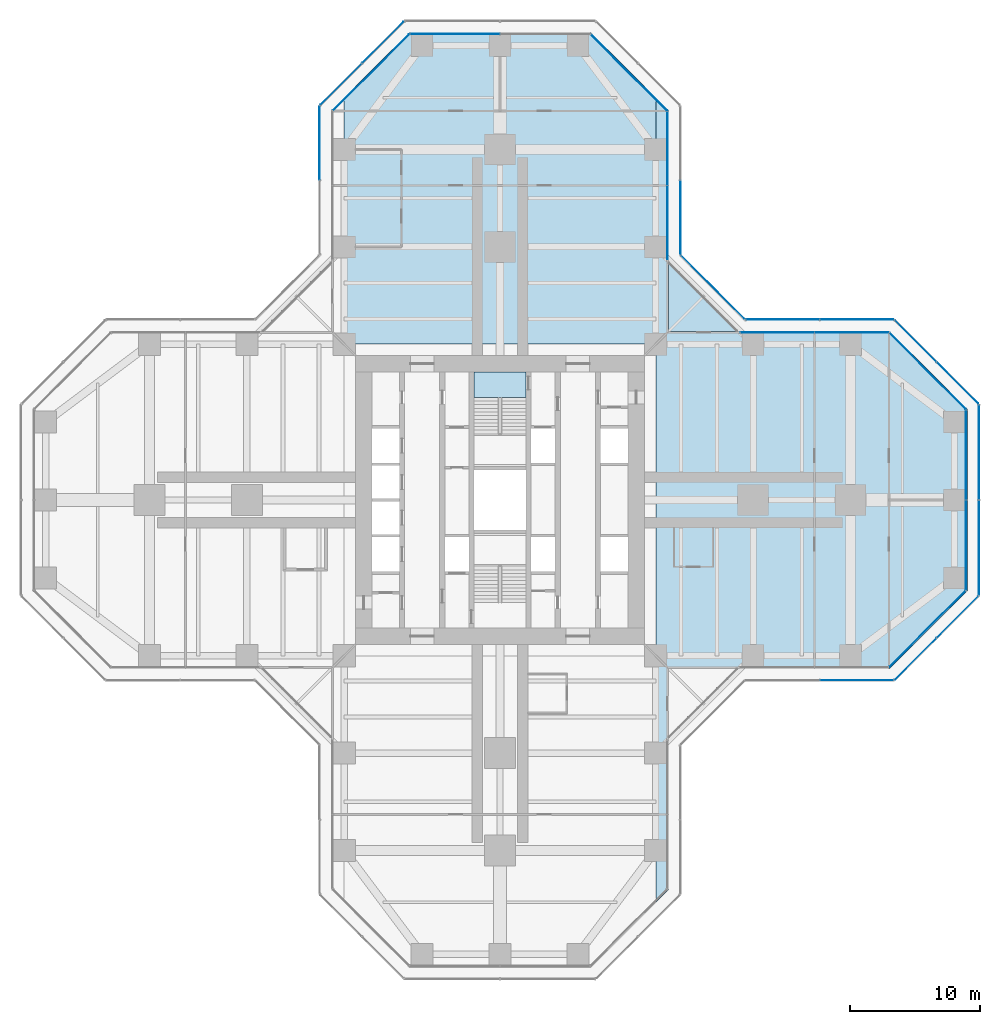
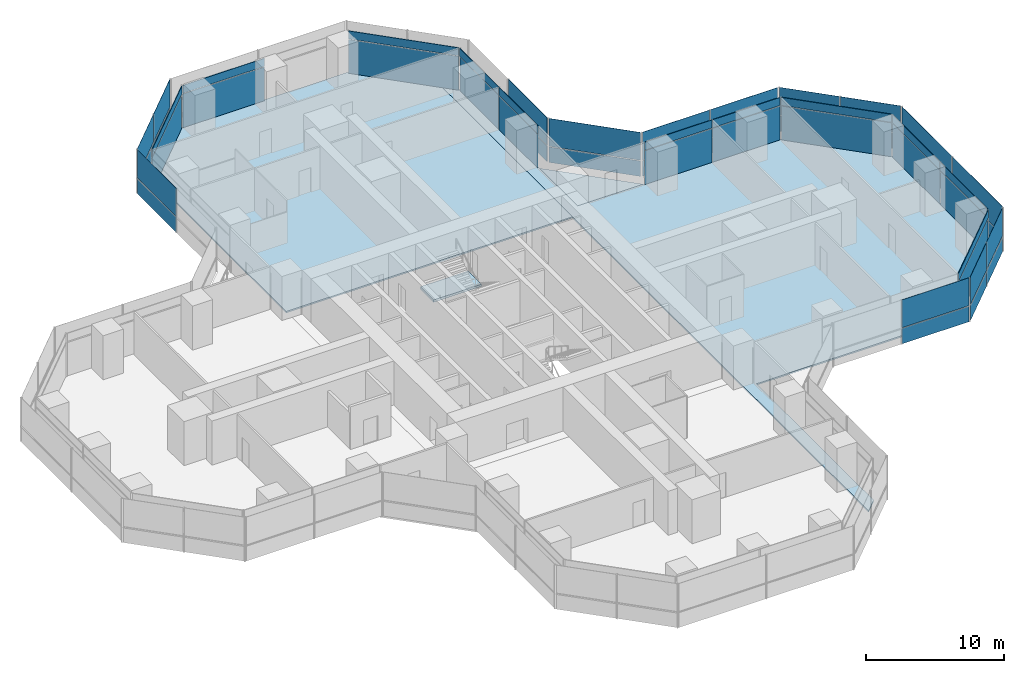
# One storey, part 16 of 22: 50 plates, 4 slabs, 18 elements without a shape of their own.
"""IFC4 building model written with IfcOpenShell, lengths in metres."""

from ifc_helpers import new_model, si_unit, direction, frame, origin, origin_2d, place, context, subcontext, project, spatial, polyline, rectangle, outline, extrude, material, layer, layer_set, type_object, element, aggregate, save


model = new_model("IFC4")

# Units and contexts
model_context = context("Model", 3, precision=1e-05, world=origin(), true_north=direction((0.0, 1.0)))
body_context = subcontext(model_context, "Body", "Model", "MODEL_VIEW")
ifc_project = project(units=[si_unit("LENGTHUNIT", "METRE"), si_unit("AREAUNIT", "SQUARE_METRE"), si_unit("VOLUMEUNIT", "CUBIC_METRE"), si_unit("PLANEANGLEUNIT", "RADIAN"), si_unit("MASSUNIT", "GRAM", prefix="KILO")], contexts=[model_context])

# Site, building, storey
site_placement = place(None, origin())
site = spatial("IfcSite", under=ifc_project, at=site_placement, CompositionType="ELEMENT")
building_placement = place(site_placement, origin())
building = spatial("IfcBuilding", under=site, at=building_placement, Name="Mizan Broadcast Tower", CompositionType="ELEMENT")
storey_placement = place(building_placement, frame((0.0, 0.0, 105.89990234375)))
storey = spatial("IfcBuildingStorey", under=building, at=storey_placement, Name="L23", CompositionType="ELEMENT", Elevation=105.89990234375)

# Slabs
ifc_material_1 = material(Name="Concrete C32/40", Category="concrete")
ifc_layer_1 = layer(ifc_material_1, 0.1298828125)
ifc_layer_set_1 = layer_set([ifc_layer_1], Name="Concrete C32/40")
slab_type_1 = type_object("IfcSlabType", Name="COMPOSITE DECK SLAB 130", PredefinedType="FLOOR", material=ifc_layer_set_1)
slab_1_placement = place(storey_placement, frame((0.0, 0.0, -0.1298828125)))
element("IfcSlab", 1, at=slab_1_placement, inside=storey, type_object=slab_type_1, Name="Floor slab L23 east arm", PredefinedType="FLOOR", context=body_context, shape_type="SweptSolid", body=[
    extrude(outline(polyline([(12.0, -31.0), (13.0, -30.0), (13.0, -13.0), (30.0, -13.0), (36.0, -7.0), (36.0, 7.0), (30.0, 13.0), (13.0, 13.0), (13.0, 30.0), (12.0, 31.0), (12.0, -31.0)])), origin(), (0.0, 0.0, 1.0), 0.1298828125),
])
slab_2_placement = place(storey_placement, frame((0.0, 0.0, -0.1298828125)))
element("IfcSlab", 2, at=slab_2_placement, inside=storey, type_object=slab_type_1, Name="Floor slab L23 north arm", PredefinedType="FLOOR", context=body_context, shape_type="SweptSolid", body=[
    extrude(outline(polyline([(-7.0, 36.0), (-12.0, 31.0), (-12.0, 12.0), (12.0, 12.0), (12.0, 31.0), (7.0, 36.0), (-7.0, 36.0)])), origin(), (0.0, 0.0, 1.0), 0.1298828125),
])

# Curtain wall, plate
ifc_material_2 = material(Name="Aluminium framed glazing", Category="aluminium")
curtain_wall_type_1 = type_object("IfcCurtainWallType", Name="INNER SKIN LOW ZONE", PredefinedType="USERDEFINED", material=ifc_material_2)
curtain_wall_1_placement = place(storey_placement, origin())
curtain_wall_1 = element("IfcCurtainWall", 3, at=curtain_wall_1_placement, inside=storey, type_object=curtain_wall_type_1, Name="Inner skin low zone L23 E chamfer", ObjectType="INNER SKIN LOW ZONE", PredefinedType="USERDEFINED")
ifc_material_3 = material(Name="Double glazing, clear low-e", Category="glass")
ifc_layer_2 = layer(ifc_material_3, 0.028076171875)
ifc_layer_set_2 = layer_set([ifc_layer_2], Name="Double glazing, clear low-e")
plate_type_1 = type_object("IfcPlateType", Name="INNER SKIN GLAZING UNIT", PredefinedType="CURTAIN_PANEL", material=ifc_layer_set_2)
plate_1_placement = place(storey_placement, frame((32.92919921875, -9.92919921875, 0.0), z_axis=(0.0, 0.0, 1.0), x_axis=(0.707106781187, 0.707106781187, 0.0)))
plate_1 = element("IfcPlate", 4, at=plate_1_placement, type_object=plate_type_1, Name="Inner skin low zone L23 E chamfer panel 1.1", PredefinedType="CURTAIN_PANEL", context=body_context, shape_type="SweptSolid", body=[
    extrude(rectangle(XDim=8.282470703125, YDim=0.028076171875, at=origin_2d()), origin(), (0.0, 0.0, 1.0), 3.0),
])

# Curtain wall, plates
curtain_wall_2_placement = place(storey_placement, origin())
curtain_wall_2 = element("IfcCurtainWall", 5, at=curtain_wall_2_placement, inside=storey, type_object=curtain_wall_type_1, Name="Inner skin low zone L23 E end", ObjectType="INNER SKIN LOW ZONE", PredefinedType="USERDEFINED")
plate_2_placement = place(storey_placement, frame((35.89990234375, -3.46435546875, 0.0), z_axis=(0.0, 0.0, 1.0), x_axis=(0.0, 1.0, 0.0)))
plate_2 = element("IfcPlate", 6, at=plate_2_placement, type_object=plate_type_1, Name="Inner skin low zone L23 E end panel 1.1", PredefinedType="CURTAIN_PANEL", context=body_context, shape_type="SweptSolid", body=[
    extrude(rectangle(XDim=6.86865234375, YDim=0.028076171875, at=origin_2d()), origin(), (0.0, 0.0, 1.0), 3.0),
])
plate_3_placement = place(storey_placement, frame((35.89990234375, 3.46435546875, 0.0), z_axis=(0.0, 0.0, 1.0), x_axis=(0.0, 1.0, 0.0)))
plate_3 = element("IfcPlate", 7, at=plate_3_placement, type_object=plate_type_1, Name="Inner skin low zone L23 E end panel 2.1", PredefinedType="CURTAIN_PANEL", context=body_context, shape_type="SweptSolid", body=[
    extrude(rectangle(XDim=6.86865234375, YDim=0.028076171875, at=origin_2d()), origin(), (0.0, 0.0, 1.0), 3.0),
])

# Curtain wall, plate
curtain_wall_3_placement = place(storey_placement, origin())
curtain_wall_3 = element("IfcCurtainWall", 8, at=curtain_wall_3_placement, inside=storey, type_object=curtain_wall_type_1, Name="Inner skin low zone L23 E chamfer", ObjectType="INNER SKIN LOW ZONE", PredefinedType="USERDEFINED")
plate_4_placement = place(storey_placement, frame((32.92919921875, 9.92919921875, 0.0), z_axis=(0.0, 0.0, 1.0), x_axis=(-0.707106781187, 0.707106781187, 0.0)))
plate_4 = element("IfcPlate", 9, at=plate_4_placement, type_object=plate_type_1, Name="Inner skin low zone L23 E chamfer panel 1.1", PredefinedType="CURTAIN_PANEL", context=body_context, shape_type="SweptSolid", body=[
    extrude(rectangle(XDim=8.282470703125, YDim=0.028076171875, at=origin_2d()), origin(), (0.0, 0.0, 1.0), 3.0),
])

# Curtain wall, plates
curtain_wall_4_placement = place(storey_placement, origin())
curtain_wall_4 = element("IfcCurtainWall", 10, at=curtain_wall_4_placement, inside=storey, type_object=curtain_wall_type_1, Name="Inner skin low zone L23 E side", ObjectType="INNER SKIN LOW ZONE", PredefinedType="USERDEFINED")
plate_5_placement = place(storey_placement, frame((27.078857421875, 12.89990234375, 0.0), z_axis=(0.0, 0.0, 1.0), x_axis=(-1.0, 0.0, 0.0)))
plate_5 = element("IfcPlate", 11, at=plate_5_placement, type_object=plate_type_1, Name="Inner skin low zone L23 E side panel 1.1", PredefinedType="CURTAIN_PANEL", context=body_context, shape_type="SweptSolid", body=[
    extrude(rectangle(XDim=5.639404296875, YDim=0.028076171875, at=origin_2d()), origin(), (0.0, 0.0, 1.0), 3.0),
])
plate_6_placement = place(storey_placement, frame((21.379638671875, 12.89990234375, 0.0), z_axis=(0.0, 0.0, 1.0), x_axis=(-1.0, 0.0, 0.0)))
plate_6 = element("IfcPlate", 12, at=plate_6_placement, type_object=plate_type_1, Name="Inner skin low zone L23 E side panel 2.1", PredefinedType="CURTAIN_PANEL", context=body_context, shape_type="SweptSolid", body=[
    extrude(rectangle(XDim=5.639404296875, YDim=0.028076171875, at=origin_2d()), origin(), (0.0, 0.0, 1.0), 3.0),
])

curtain_wall_5_placement = place(storey_placement, origin())
curtain_wall_5 = element("IfcCurtainWall", 13, at=curtain_wall_5_placement, inside=storey, type_object=curtain_wall_type_1, Name="Inner skin low zone L23 N side", ObjectType="INNER SKIN LOW ZONE", PredefinedType="USERDEFINED")
plate_7_placement = place(storey_placement, frame((12.89990234375, 21.379638671875, 0.0), z_axis=(0.0, 0.0, 1.0), x_axis=(0.0, 1.0, 0.0)))
plate_7 = element("IfcPlate", 14, at=plate_7_placement, type_object=plate_type_1, Name="Inner skin low zone L23 N side panel 1.1", PredefinedType="CURTAIN_PANEL", context=body_context, shape_type="SweptSolid", body=[
    extrude(rectangle(XDim=5.639404296875, YDim=0.028076171875, at=origin_2d()), origin(), (0.0, 0.0, 1.0), 3.0),
])
plate_8_placement = place(storey_placement, frame((12.89990234375, 27.078857421875, 0.0), z_axis=(0.0, 0.0, 1.0), x_axis=(0.0, 1.0, 0.0)))
plate_8 = element("IfcPlate", 15, at=plate_8_placement, type_object=plate_type_1, Name="Inner skin low zone L23 N side panel 2.1", PredefinedType="CURTAIN_PANEL", context=body_context, shape_type="SweptSolid", body=[
    extrude(rectangle(XDim=5.639404296875, YDim=0.028076171875, at=origin_2d()), origin(), (0.0, 0.0, 1.0), 3.0),
])

# Curtain wall, plate
curtain_wall_6_placement = place(storey_placement, origin())
curtain_wall_6 = element("IfcCurtainWall", 16, at=curtain_wall_6_placement, inside=storey, type_object=curtain_wall_type_1, Name="Inner skin low zone L23 N chamfer", ObjectType="INNER SKIN LOW ZONE", PredefinedType="USERDEFINED")
plate_9_placement = place(storey_placement, frame((9.92919921875, 32.92919921875, 0.0), z_axis=(0.0, 0.0, 1.0), x_axis=(-0.707106781187, 0.707106781187, 0.0)))
plate_9 = element("IfcPlate", 17, at=plate_9_placement, type_object=plate_type_1, Name="Inner skin low zone L23 N chamfer panel 1.1", PredefinedType="CURTAIN_PANEL", context=body_context, shape_type="SweptSolid", body=[
    extrude(rectangle(XDim=8.282470703125, YDim=0.028076171875, at=origin_2d()), origin(), (0.0, 0.0, 1.0), 3.0),
])

curtain_wall_7_placement = place(storey_placement, origin())
curtain_wall_7 = element("IfcCurtainWall", 18, at=curtain_wall_7_placement, inside=storey, type_object=curtain_wall_type_1, Name="Inner skin low zone L23 N end", ObjectType="INNER SKIN LOW ZONE", PredefinedType="USERDEFINED")
plate_10_placement = place(storey_placement, frame((-3.46435546875, 35.89990234375, 0.0), z_axis=(0.0, 0.0, 1.0), x_axis=(-1.0, 0.0, 0.0)))
plate_10 = element("IfcPlate", 19, at=plate_10_placement, type_object=plate_type_1, Name="Inner skin low zone L23 N end panel 2.1", PredefinedType="CURTAIN_PANEL", context=body_context, shape_type="SweptSolid", body=[
    extrude(rectangle(XDim=6.86865234375, YDim=0.028076171875, at=origin_2d()), origin(), (0.0, 0.0, 1.0), 3.0),
])

curtain_wall_8_placement = place(storey_placement, origin())
curtain_wall_8 = element("IfcCurtainWall", 20, at=curtain_wall_8_placement, inside=storey, type_object=curtain_wall_type_1, Name="Inner skin low zone L23 N chamfer", ObjectType="INNER SKIN LOW ZONE", PredefinedType="USERDEFINED")
plate_11_placement = place(storey_placement, frame((-9.92919921875, 32.92919921875, 0.0), z_axis=(0.0, 0.0, 1.0), x_axis=(-0.707106781187, -0.707106781187, 0.0)))
plate_11 = element("IfcPlate", 21, at=plate_11_placement, type_object=plate_type_1, Name="Inner skin low zone L23 N chamfer panel 1.1", PredefinedType="CURTAIN_PANEL", context=body_context, shape_type="SweptSolid", body=[
    extrude(rectangle(XDim=8.282470703125, YDim=0.028076171875, at=origin_2d()), origin(), (0.0, 0.0, 1.0), 3.0),
])

# Plate
ifc_material_4 = material(Name="Insulated aluminium spandrel panel, pale anodised", Category="aluminium")
ifc_layer_3 = layer(ifc_material_4, 0.050048828125)
ifc_layer_set_3 = layer_set([ifc_layer_3], Name="Insulated aluminium spandrel panel, pale anodised")
plate_type_2 = type_object("IfcPlateType", Name="INNER SKIN SPANDREL PANEL", PredefinedType="CURTAIN_PANEL", material=ifc_layer_set_3)
plate_12_placement = place(storey_placement, frame((32.92919921875, -9.92919921875, 3.06005859375), z_axis=(0.0, 0.0, 1.0), x_axis=(0.707106781187, 0.707106781187, 0.0)))
plate_12 = element("IfcPlate", 22, at=plate_12_placement, type_object=plate_type_2, Name="Inner skin low zone L23 E chamfer panel 1.2", PredefinedType="CURTAIN_PANEL", context=body_context, shape_type="SweptSolid", body=[
    extrude(rectangle(XDim=8.282470703125, YDim=0.050048828125, at=origin_2d()), origin(), (0.0, 0.0, 1.0), 0.7099609375),
])

aggregate(curtain_wall_1, [plate_1, plate_12])

plate_13_placement = place(storey_placement, frame((35.89990234375, -3.46435546875, 3.06005859375), z_axis=(0.0, 0.0, 1.0), x_axis=(0.0, 1.0, 0.0)))
plate_13 = element("IfcPlate", 23, at=plate_13_placement, type_object=plate_type_2, Name="Inner skin low zone L23 E end panel 1.2", PredefinedType="CURTAIN_PANEL", context=body_context, shape_type="SweptSolid", body=[
    extrude(rectangle(XDim=6.86865234375, YDim=0.050048828125, at=origin_2d()), origin(), (0.0, 0.0, 1.0), 0.7099609375),
])

plate_14_placement = place(storey_placement, frame((35.89990234375, 3.46435546875, 3.06005859375), z_axis=(0.0, 0.0, 1.0), x_axis=(0.0, 1.0, 0.0)))
plate_14 = element("IfcPlate", 24, at=plate_14_placement, type_object=plate_type_2, Name="Inner skin low zone L23 E end panel 2.2", PredefinedType="CURTAIN_PANEL", context=body_context, shape_type="SweptSolid", body=[
    extrude(rectangle(XDim=6.86865234375, YDim=0.050048828125, at=origin_2d()), origin(), (0.0, 0.0, 1.0), 0.7099609375),
])

aggregate(curtain_wall_2, [plate_2, plate_13, plate_3, plate_14])

plate_15_placement = place(storey_placement, frame((32.92919921875, 9.92919921875, 3.06005859375), z_axis=(0.0, 0.0, 1.0), x_axis=(-0.707106781187, 0.707106781187, 0.0)))
plate_15 = element("IfcPlate", 25, at=plate_15_placement, type_object=plate_type_2, Name="Inner skin low zone L23 E chamfer panel 1.2", PredefinedType="CURTAIN_PANEL", context=body_context, shape_type="SweptSolid", body=[
    extrude(rectangle(XDim=8.282470703125, YDim=0.050048828125, at=origin_2d()), origin(), (0.0, 0.0, 1.0), 0.7099609375),
])

aggregate(curtain_wall_3, [plate_4, plate_15])

plate_16_placement = place(storey_placement, frame((27.078857421875, 12.89990234375, 3.06005859375), z_axis=(0.0, 0.0, 1.0), x_axis=(-1.0, 0.0, 0.0)))
plate_16 = element("IfcPlate", 26, at=plate_16_placement, type_object=plate_type_2, Name="Inner skin low zone L23 E side panel 1.2", PredefinedType="CURTAIN_PANEL", context=body_context, shape_type="SweptSolid", body=[
    extrude(rectangle(XDim=5.639404296875, YDim=0.050048828125, at=origin_2d()), origin(), (0.0, 0.0, 1.0), 0.7099609375),
])

plate_17_placement = place(storey_placement, frame((21.379638671875, 12.89990234375, 3.06005859375), z_axis=(0.0, 0.0, 1.0), x_axis=(-1.0, 0.0, 0.0)))
plate_17 = element("IfcPlate", 27, at=plate_17_placement, type_object=plate_type_2, Name="Inner skin low zone L23 E side panel 2.2", PredefinedType="CURTAIN_PANEL", context=body_context, shape_type="SweptSolid", body=[
    extrude(rectangle(XDim=5.639404296875, YDim=0.050048828125, at=origin_2d()), origin(), (0.0, 0.0, 1.0), 0.7099609375),
])

aggregate(curtain_wall_4, [plate_5, plate_16, plate_6, plate_17])

plate_18_placement = place(storey_placement, frame((12.89990234375, 21.379638671875, 3.06005859375), z_axis=(0.0, 0.0, 1.0), x_axis=(0.0, 1.0, 0.0)))
plate_18 = element("IfcPlate", 28, at=plate_18_placement, type_object=plate_type_2, Name="Inner skin low zone L23 N side panel 1.2", PredefinedType="CURTAIN_PANEL", context=body_context, shape_type="SweptSolid", body=[
    extrude(rectangle(XDim=5.639404296875, YDim=0.050048828125, at=origin_2d()), origin(), (0.0, 0.0, 1.0), 0.7099609375),
])

plate_19_placement = place(storey_placement, frame((12.89990234375, 27.078857421875, 3.06005859375), z_axis=(0.0, 0.0, 1.0), x_axis=(0.0, 1.0, 0.0)))
plate_19 = element("IfcPlate", 29, at=plate_19_placement, type_object=plate_type_2, Name="Inner skin low zone L23 N side panel 2.2", PredefinedType="CURTAIN_PANEL", context=body_context, shape_type="SweptSolid", body=[
    extrude(rectangle(XDim=5.639404296875, YDim=0.050048828125, at=origin_2d()), origin(), (0.0, 0.0, 1.0), 0.7099609375),
])

aggregate(curtain_wall_5, [plate_7, plate_18, plate_8, plate_19])

plate_20_placement = place(storey_placement, frame((9.92919921875, 32.92919921875, 3.06005859375), z_axis=(0.0, 0.0, 1.0), x_axis=(-0.707106781187, 0.707106781187, 0.0)))
plate_20 = element("IfcPlate", 30, at=plate_20_placement, type_object=plate_type_2, Name="Inner skin low zone L23 N chamfer panel 1.2", PredefinedType="CURTAIN_PANEL", context=body_context, shape_type="SweptSolid", body=[
    extrude(rectangle(XDim=8.282470703125, YDim=0.050048828125, at=origin_2d()), origin(), (0.0, 0.0, 1.0), 0.7099609375),
])

aggregate(curtain_wall_6, [plate_9, plate_20])

plate_21_placement = place(storey_placement, frame((-3.46435546875, 35.89990234375, 3.06005859375), z_axis=(0.0, 0.0, 1.0), x_axis=(-1.0, 0.0, 0.0)))
plate_21 = element("IfcPlate", 31, at=plate_21_placement, type_object=plate_type_2, Name="Inner skin low zone L23 N end panel 2.2", PredefinedType="CURTAIN_PANEL", context=body_context, shape_type="SweptSolid", body=[
    extrude(rectangle(XDim=6.86865234375, YDim=0.050048828125, at=origin_2d()), origin(), (0.0, 0.0, 1.0), 0.7099609375),
])

aggregate(curtain_wall_7, [plate_10, plate_21])

plate_22_placement = place(storey_placement, frame((-9.92919921875, 32.92919921875, 3.06005859375), z_axis=(0.0, 0.0, 1.0), x_axis=(-0.707106781187, -0.707106781187, 0.0)))
plate_22 = element("IfcPlate", 32, at=plate_22_placement, type_object=plate_type_2, Name="Inner skin low zone L23 N chamfer panel 1.2", PredefinedType="CURTAIN_PANEL", context=body_context, shape_type="SweptSolid", body=[
    extrude(rectangle(XDim=8.282470703125, YDim=0.050048828125, at=origin_2d()), origin(), (0.0, 0.0, 1.0), 0.7099609375),
])

aggregate(curtain_wall_8, [plate_11, plate_22])

# Curtain wall, plates
ifc_material_5 = material(Name="Aluminium framed glazing", Category="aluminium")
curtain_wall_type_2 = type_object("IfcCurtainWallType", Name="OUTER SKIN", PredefinedType="USERDEFINED", material=ifc_material_5)
curtain_wall_9_placement = place(storey_placement, origin())
curtain_wall_9 = element("IfcCurtainWall", 33, at=curtain_wall_9_placement, inside=storey, type_object=curtain_wall_type_2, Name="Outer skin L23 E chamfer", ObjectType="OUTER SKIN", PredefinedType="USERDEFINED")
ifc_material_6 = material(Name="Laminated clear glass", Category="glass")
ifc_layer_4 = layer(ifc_material_6, 0.02001953125)
ifc_layer_set_4 = layer_set([ifc_layer_4], Name="Laminated clear glass")
plate_type_3 = type_object("IfcPlateType", Name="OUTER SKIN CLEAR GLASS", PredefinedType="CURTAIN_PANEL", material=ifc_layer_set_4)
plate_23_placement = place(storey_placement, frame((32.018798828125, -12.254150390625, 0.0), z_axis=(0.0, 0.0, 1.0), x_axis=(0.707106781187, 0.707106781187, 0.0)))
plate_23 = element("IfcPlate", 34, at=plate_23_placement, type_object=plate_type_3, Name="Outer skin L23 E chamfer panel 1.1", PredefinedType="CURTAIN_PANEL", context=body_context, shape_type="SweptSolid", body=[
    extrude(rectangle(XDim=4.495361328125, YDim=0.02001953125, at=origin_2d()), origin(), (0.0, 0.0, 1.0), 1.3701171875),
])
plate_24_placement = place(storey_placement, frame((32.018798828125, -12.254150390625, 1.43017578125), z_axis=(0.0, 0.0, 1.0), x_axis=(0.707106781187, 0.707106781187, 0.0)))
plate_24 = element("IfcPlate", 35, at=plate_24_placement, type_object=plate_type_3, Name="Outer skin L23 E chamfer panel 1.2", PredefinedType="CURTAIN_PANEL", context=body_context, shape_type="SweptSolid", body=[
    extrude(rectangle(XDim=4.495361328125, YDim=0.02001953125, at=origin_2d()), origin(), (0.0, 0.0, 1.0), 2.469970703125),
])

curtain_wall_10_placement = place(storey_placement, origin())
curtain_wall_10 = element("IfcCurtainWall", 36, at=curtain_wall_10_placement, inside=storey, type_object=curtain_wall_type_2, Name="Outer skin L23 E end", ObjectType="OUTER SKIN", PredefinedType="USERDEFINED")
plate_25_placement = place(storey_placement, frame((36.89990234375, -3.66650390625, 0.0), z_axis=(0.0, 0.0, 1.0), x_axis=(0.0, 1.0, 0.0)))
plate_25 = element("IfcPlate", 37, at=plate_25_placement, type_object=plate_type_3, Name="Outer skin L23 E end panel 1.1", PredefinedType="CURTAIN_PANEL", context=body_context, shape_type="SweptSolid", body=[
    extrude(rectangle(XDim=7.252685546875, YDim=0.02001953125, at=origin_2d()), origin(), (0.0, 0.0, 1.0), 1.3701171875),
])
plate_26_placement = place(storey_placement, frame((36.89990234375, -3.66650390625, 1.43017578125), z_axis=(0.0, 0.0, 1.0), x_axis=(0.0, 1.0, 0.0)))
plate_26 = element("IfcPlate", 38, at=plate_26_placement, type_object=plate_type_3, Name="Outer skin L23 E end panel 1.2", PredefinedType="CURTAIN_PANEL", context=body_context, shape_type="SweptSolid", body=[
    extrude(rectangle(XDim=7.252685546875, YDim=0.02001953125, at=origin_2d()), origin(), (0.0, 0.0, 1.0), 2.469970703125),
])

curtain_wall_11_placement = place(storey_placement, origin())
curtain_wall_11 = element("IfcCurtainWall", 39, at=curtain_wall_11_placement, inside=storey, type_object=curtain_wall_type_2, Name="Outer skin L23 E chamfer", ObjectType="OUTER SKIN", PredefinedType="USERDEFINED")
plate_27_placement = place(storey_placement, frame((35.254150390625, 9.018798828125, 0.0), z_axis=(0.0, 0.0, 1.0), x_axis=(-0.707106781187, 0.707106781187, 0.0)))
plate_27 = element("IfcPlate", 40, at=plate_27_placement, type_object=plate_type_3, Name="Outer skin L23 E chamfer panel 1.1", PredefinedType="CURTAIN_PANEL", context=body_context, shape_type="SweptSolid", body=[
    extrude(rectangle(XDim=4.495361328125, YDim=0.02001953125, at=origin_2d()), origin(), (0.0, 0.0, 1.0), 1.3701171875),
])
plate_28_placement = place(storey_placement, frame((35.254150390625, 9.018798828125, 1.43017578125), z_axis=(0.0, 0.0, 1.0), x_axis=(-0.707106781187, 0.707106781187, 0.0)))
plate_28 = element("IfcPlate", 41, at=plate_28_placement, type_object=plate_type_3, Name="Outer skin L23 E chamfer panel 1.2", PredefinedType="CURTAIN_PANEL", context=body_context, shape_type="SweptSolid", body=[
    extrude(rectangle(XDim=4.495361328125, YDim=0.02001953125, at=origin_2d()), origin(), (0.0, 0.0, 1.0), 2.469970703125),
])

curtain_wall_12_placement = place(storey_placement, origin())
curtain_wall_12 = element("IfcCurtainWall", 42, at=curtain_wall_12_placement, inside=storey, type_object=curtain_wall_type_2, Name="Outer skin L23 E side", ObjectType="OUTER SKIN", PredefinedType="USERDEFINED")
plate_29_placement = place(storey_placement, frame((27.477783203125, 13.89990234375, 0.0), z_axis=(0.0, 0.0, 1.0), x_axis=(-1.0, 0.0, 0.0)))
plate_29 = element("IfcPlate", 43, at=plate_29_placement, type_object=plate_type_3, Name="Outer skin L23 E side panel 1.1", PredefinedType="CURTAIN_PANEL", context=body_context, shape_type="SweptSolid", body=[
    extrude(rectangle(XDim=5.6298828125, YDim=0.02001953125, at=origin_2d()), origin(), (0.0, 0.0, 1.0), 1.3701171875),
])
plate_30_placement = place(storey_placement, frame((27.477783203125, 13.89990234375, 1.43017578125), z_axis=(0.0, 0.0, 1.0), x_axis=(-1.0, 0.0, 0.0)))
plate_30 = element("IfcPlate", 44, at=plate_30_placement, type_object=plate_type_3, Name="Outer skin L23 E side panel 1.2", PredefinedType="CURTAIN_PANEL", context=body_context, shape_type="SweptSolid", body=[
    extrude(rectangle(XDim=5.6298828125, YDim=0.02001953125, at=origin_2d()), origin(), (0.0, 0.0, 1.0), 2.469970703125),
])
plate_31_placement = place(storey_placement, frame((21.767822265625, 13.89990234375, 0.0), z_axis=(0.0, 0.0, 1.0), x_axis=(-1.0, 0.0, 0.0)))
plate_31 = element("IfcPlate", 45, at=plate_31_placement, type_object=plate_type_3, Name="Outer skin L23 E side panel 2.1", PredefinedType="CURTAIN_PANEL", context=body_context, shape_type="SweptSolid", body=[
    extrude(rectangle(XDim=5.6298828125, YDim=0.02001953125, at=origin_2d()), origin(), (0.0, 0.0, 1.0), 1.3701171875),
])
plate_32_placement = place(storey_placement, frame((21.767822265625, 13.89990234375, 1.43017578125), z_axis=(0.0, 0.0, 1.0), x_axis=(-1.0, 0.0, 0.0)))
plate_32 = element("IfcPlate", 46, at=plate_32_placement, type_object=plate_type_3, Name="Outer skin L23 E side panel 2.2", PredefinedType="CURTAIN_PANEL", context=body_context, shape_type="SweptSolid", body=[
    extrude(rectangle(XDim=5.6298828125, YDim=0.02001953125, at=origin_2d()), origin(), (0.0, 0.0, 1.0), 2.469970703125),
])
aggregate(curtain_wall_12, [plate_29, plate_30, plate_31, plate_32])

curtain_wall_13_placement = place(storey_placement, origin())
curtain_wall_13 = element("IfcCurtainWall", 47, at=curtain_wall_13_placement, inside=storey, type_object=curtain_wall_type_2, Name="Outer skin L23 E chamfer", ObjectType="OUTER SKIN", PredefinedType="USERDEFINED")
plate_33_placement = place(storey_placement, frame((16.386474609375, 16.386474609375, 0.0), z_axis=(0.0, 0.0, 1.0), x_axis=(-0.707106781187, 0.707106781187, 0.0)))
plate_33 = element("IfcPlate", 48, at=plate_33_placement, type_object=plate_type_3, Name="Outer skin L23 E chamfer panel 1.1", PredefinedType="CURTAIN_PANEL", context=body_context, shape_type="SweptSolid", body=[
    extrude(rectangle(XDim=6.87255859375, YDim=0.02001953125, at=origin_2d()), origin(), (0.0, 0.0, 1.0), 1.3701171875),
])
plate_34_placement = place(storey_placement, frame((16.386474609375, 16.386474609375, 1.43017578125), z_axis=(0.0, 0.0, 1.0), x_axis=(-0.707106781187, 0.707106781187, 0.0)))
plate_34 = element("IfcPlate", 49, at=plate_34_placement, type_object=plate_type_3, Name="Outer skin L23 E chamfer panel 1.2", PredefinedType="CURTAIN_PANEL", context=body_context, shape_type="SweptSolid", body=[
    extrude(rectangle(XDim=6.87255859375, YDim=0.02001953125, at=origin_2d()), origin(), (0.0, 0.0, 1.0), 2.469970703125),
])
aggregate(curtain_wall_13, [plate_33, plate_34])

curtain_wall_14_placement = place(storey_placement, origin())
curtain_wall_14 = element("IfcCurtainWall", 50, at=curtain_wall_14_placement, inside=storey, type_object=curtain_wall_type_2, Name="Outer skin L23 N side", ObjectType="OUTER SKIN", PredefinedType="USERDEFINED")
plate_35_placement = place(storey_placement, frame((13.89990234375, 21.767822265625, 0.0), z_axis=(0.0, 0.0, 1.0), x_axis=(0.0, 1.0, 0.0)))
plate_35 = element("IfcPlate", 51, at=plate_35_placement, type_object=plate_type_3, Name="Outer skin L23 N side panel 1.1", PredefinedType="CURTAIN_PANEL", context=body_context, shape_type="SweptSolid", body=[
    extrude(rectangle(XDim=5.6298828125, YDim=0.02001953125, at=origin_2d()), origin(), (0.0, 0.0, 1.0), 1.3701171875),
])
plate_36_placement = place(storey_placement, frame((13.89990234375, 21.767822265625, 1.43017578125), z_axis=(0.0, 0.0, 1.0), x_axis=(0.0, 1.0, 0.0)))
plate_36 = element("IfcPlate", 52, at=plate_36_placement, type_object=plate_type_3, Name="Outer skin L23 N side panel 1.2", PredefinedType="CURTAIN_PANEL", context=body_context, shape_type="SweptSolid", body=[
    extrude(rectangle(XDim=5.6298828125, YDim=0.02001953125, at=origin_2d()), origin(), (0.0, 0.0, 1.0), 2.469970703125),
])
aggregate(curtain_wall_14, [plate_35, plate_36])

curtain_wall_15_placement = place(storey_placement, origin())
curtain_wall_15 = element("IfcCurtainWall", 53, at=curtain_wall_15_placement, inside=storey, type_object=curtain_wall_type_2, Name="Outer skin L23 N chamfer", ObjectType="OUTER SKIN", PredefinedType="USERDEFINED")
plate_37_placement = place(storey_placement, frame((-9.018798828125, 35.254150390625, 0.0), z_axis=(0.0, 0.0, 1.0), x_axis=(-0.707106781187, -0.707106781187, 0.0)))
plate_37 = element("IfcPlate", 54, at=plate_37_placement, type_object=plate_type_3, Name="Outer skin L23 N chamfer panel 1.1", PredefinedType="CURTAIN_PANEL", context=body_context, shape_type="SweptSolid", body=[
    extrude(rectangle(XDim=4.495361328125, YDim=0.02001953125, at=origin_2d()), origin(), (0.0, 0.0, 1.0), 1.3701171875),
])
plate_38_placement = place(storey_placement, frame((-9.018798828125, 35.254150390625, 1.43017578125), z_axis=(0.0, 0.0, 1.0), x_axis=(-0.707106781187, -0.707106781187, 0.0)))
plate_38 = element("IfcPlate", 55, at=plate_38_placement, type_object=plate_type_3, Name="Outer skin L23 N chamfer panel 1.2", PredefinedType="CURTAIN_PANEL", context=body_context, shape_type="SweptSolid", body=[
    extrude(rectangle(XDim=4.495361328125, YDim=0.02001953125, at=origin_2d()), origin(), (0.0, 0.0, 1.0), 2.469970703125),
])

curtain_wall_16_placement = place(storey_placement, origin())
curtain_wall_16 = element("IfcCurtainWall", 56, at=curtain_wall_16_placement, inside=storey, type_object=curtain_wall_type_2, Name="Outer skin L23 N side", ObjectType="OUTER SKIN", PredefinedType="USERDEFINED")
plate_39_placement = place(storey_placement, frame((-13.89990234375, 27.477783203125, 0.0), z_axis=(0.0, 0.0, 1.0), x_axis=(0.0, -1.0, 0.0)))
plate_39 = element("IfcPlate", 57, at=plate_39_placement, type_object=plate_type_3, Name="Outer skin L23 N side panel 1.1", PredefinedType="CURTAIN_PANEL", context=body_context, shape_type="SweptSolid", body=[
    extrude(rectangle(XDim=5.6298828125, YDim=0.02001953125, at=origin_2d()), origin(), (0.0, 0.0, 1.0), 1.3701171875),
])
plate_40_placement = place(storey_placement, frame((-13.89990234375, 27.477783203125, 1.43017578125), z_axis=(0.0, 0.0, 1.0), x_axis=(0.0, -1.0, 0.0)))
plate_40 = element("IfcPlate", 58, at=plate_40_placement, type_object=plate_type_3, Name="Outer skin L23 N side panel 1.2", PredefinedType="CURTAIN_PANEL", context=body_context, shape_type="SweptSolid", body=[
    extrude(rectangle(XDim=5.6298828125, YDim=0.02001953125, at=origin_2d()), origin(), (0.0, 0.0, 1.0), 2.469970703125),
])
aggregate(curtain_wall_16, [plate_39, plate_40])

# Plate
ifc_material_7 = material(Name="Perforated aluminium, pale anodised", Category="aluminium")
ifc_layer_5 = layer(ifc_material_7, 0.011962890625)
ifc_layer_set_5 = layer_set([ifc_layer_5], Name="Perforated aluminium, pale anodised")
plate_type_4 = type_object("IfcPlateType", Name="OUTER SKIN PERFORATED SCREEN", PredefinedType="USERDEFINED", material=ifc_layer_set_5)
plate_41_placement = place(storey_placement, frame((35.254150390625, -9.018798828125, 0.0), z_axis=(0.0, 0.0, 1.0), x_axis=(0.707106781187, 0.707106781187, 0.0)))
plate_41 = element("IfcPlate", 59, at=plate_41_placement, type_object=plate_type_4, Name="Outer skin L23 E chamfer panel 2.1", ObjectType="SCREEN", PredefinedType="USERDEFINED", context=body_context, shape_type="SweptSolid", body=[
    extrude(rectangle(XDim=4.495361328125, YDim=0.011962890625, at=origin_2d()), origin(), (0.0, 0.0, 1.0), 1.3701171875),
])

plate_42_placement = place(storey_placement, frame((35.254150390625, -9.018798828125, 1.43017578125), z_axis=(0.0, 0.0, 1.0), x_axis=(0.707106781187, 0.707106781187, 0.0)))
plate_42 = element("IfcPlate", 60, at=plate_42_placement, type_object=plate_type_4, Name="Outer skin L23 E chamfer panel 2.2", ObjectType="SCREEN", PredefinedType="USERDEFINED", context=body_context, shape_type="SweptSolid", body=[
    extrude(rectangle(XDim=4.495361328125, YDim=0.011962890625, at=origin_2d()), origin(), (0.0, 0.0, 1.0), 2.469970703125),
])

aggregate(curtain_wall_9, [plate_23, plate_24, plate_41, plate_42])

plate_43_placement = place(storey_placement, frame((36.89990234375, 3.66650390625, 0.0), z_axis=(0.0, 0.0, 1.0), x_axis=(0.0, 1.0, 0.0)))
plate_43 = element("IfcPlate", 61, at=plate_43_placement, type_object=plate_type_4, Name="Outer skin L23 E end panel 2.1", ObjectType="SCREEN", PredefinedType="USERDEFINED", context=body_context, shape_type="SweptSolid", body=[
    extrude(rectangle(XDim=7.252685546875, YDim=0.011962890625, at=origin_2d()), origin(), (0.0, 0.0, 1.0), 1.3701171875),
])

plate_44_placement = place(storey_placement, frame((36.89990234375, 3.66650390625, 1.43017578125), z_axis=(0.0, 0.0, 1.0), x_axis=(0.0, 1.0, 0.0)))
plate_44 = element("IfcPlate", 62, at=plate_44_placement, type_object=plate_type_4, Name="Outer skin L23 E end panel 2.2", ObjectType="SCREEN", PredefinedType="USERDEFINED", context=body_context, shape_type="SweptSolid", body=[
    extrude(rectangle(XDim=7.252685546875, YDim=0.011962890625, at=origin_2d()), origin(), (0.0, 0.0, 1.0), 2.469970703125),
])

aggregate(curtain_wall_10, [plate_25, plate_26, plate_43, plate_44])

plate_45_placement = place(storey_placement, frame((32.018798828125, 12.254150390625, 0.0), z_axis=(0.0, 0.0, 1.0), x_axis=(-0.707106781187, 0.707106781187, 0.0)))
plate_45 = element("IfcPlate", 63, at=plate_45_placement, type_object=plate_type_4, Name="Outer skin L23 E chamfer panel 2.1", ObjectType="SCREEN", PredefinedType="USERDEFINED", context=body_context, shape_type="SweptSolid", body=[
    extrude(rectangle(XDim=4.495361328125, YDim=0.011962890625, at=origin_2d()), origin(), (0.0, 0.0, 1.0), 1.3701171875),
])

plate_46_placement = place(storey_placement, frame((32.018798828125, 12.254150390625, 1.43017578125), z_axis=(0.0, 0.0, 1.0), x_axis=(-0.707106781187, 0.707106781187, 0.0)))
plate_46 = element("IfcPlate", 64, at=plate_46_placement, type_object=plate_type_4, Name="Outer skin L23 E chamfer panel 2.2", ObjectType="SCREEN", PredefinedType="USERDEFINED", context=body_context, shape_type="SweptSolid", body=[
    extrude(rectangle(XDim=4.495361328125, YDim=0.011962890625, at=origin_2d()), origin(), (0.0, 0.0, 1.0), 2.469970703125),
])

aggregate(curtain_wall_11, [plate_27, plate_28, plate_45, plate_46])

plate_47_placement = place(storey_placement, frame((-12.254150390625, 32.018798828125, 0.0), z_axis=(0.0, 0.0, 1.0), x_axis=(-0.707106781187, -0.707106781187, 0.0)))
plate_47 = element("IfcPlate", 65, at=plate_47_placement, type_object=plate_type_4, Name="Outer skin L23 N chamfer panel 2.1", ObjectType="SCREEN", PredefinedType="USERDEFINED", context=body_context, shape_type="SweptSolid", body=[
    extrude(rectangle(XDim=4.495361328125, YDim=0.011962890625, at=origin_2d()), origin(), (0.0, 0.0, 1.0), 1.3701171875),
])

plate_48_placement = place(storey_placement, frame((-12.254150390625, 32.018798828125, 1.43017578125), z_axis=(0.0, 0.0, 1.0), x_axis=(-0.707106781187, -0.707106781187, 0.0)))
plate_48 = element("IfcPlate", 66, at=plate_48_placement, type_object=plate_type_4, Name="Outer skin L23 N chamfer panel 2.2", ObjectType="SCREEN", PredefinedType="USERDEFINED", context=body_context, shape_type="SweptSolid", body=[
    extrude(rectangle(XDim=4.495361328125, YDim=0.011962890625, at=origin_2d()), origin(), (0.0, 0.0, 1.0), 2.469970703125),
])

aggregate(curtain_wall_15, [plate_37, plate_38, plate_47, plate_48])

# Curtain wall, plates
curtain_wall_17_placement = place(storey_placement, origin())
curtain_wall_17 = element("IfcCurtainWall", 67, at=curtain_wall_17_placement, inside=storey, type_object=curtain_wall_type_2, Name="Outer skin L23 E side", ObjectType="OUTER SKIN", PredefinedType="USERDEFINED")
plate_49_placement = place(storey_placement, frame((27.477783203125, -13.89990234375, 0.0), z_axis=(0.0, 0.0, 1.0), x_axis=(1.0, 0.0, 0.0)))
plate_49 = element("IfcPlate", 68, at=plate_49_placement, type_object=plate_type_4, Name="Outer skin L23 E side panel 2.1", ObjectType="SCREEN", PredefinedType="USERDEFINED", context=body_context, shape_type="SweptSolid", body=[
    extrude(rectangle(XDim=5.6298828125, YDim=0.011962890625, at=origin_2d()), origin(), (0.0, 0.0, 1.0), 1.3701171875),
])
plate_50_placement = place(storey_placement, frame((27.477783203125, -13.89990234375, 1.43017578125), z_axis=(0.0, 0.0, 1.0), x_axis=(1.0, 0.0, 0.0)))
plate_50 = element("IfcPlate", 69, at=plate_50_placement, type_object=plate_type_4, Name="Outer skin L23 E side panel 2.2", ObjectType="SCREEN", PredefinedType="USERDEFINED", context=body_context, shape_type="SweptSolid", body=[
    extrude(rectangle(XDim=5.6298828125, YDim=0.011962890625, at=origin_2d()), origin(), (0.0, 0.0, 1.0), 2.469970703125),
])
aggregate(curtain_wall_17, [plate_49, plate_50])

# Stair, slab
ifc_material_8 = material(Name="Concrete C40/50", Category="concrete")
stair_type = type_object("IfcStairType", Name="EXIT STAIR", PredefinedType="HALF_TURN_STAIR", material=ifc_material_8)
stair_placement = place(storey_placement, origin())
stair = element("IfcStair", 70, at=stair_placement, inside=storey, type_object=stair_type, Name="Stair B L23", PredefinedType="HALF_TURN_STAIR")
ifc_material_9 = material(Name="Concrete C40/50", Category="concrete")
ifc_layer_6 = layer(ifc_material_9, 0.199951171875)
ifc_layer_set_6 = layer_set([ifc_layer_6], Name="Concrete C40/50")
slab_type_2 = type_object("IfcSlabType", Name="STAIR LANDING 200", PredefinedType="LANDING", material=ifc_layer_set_6)
slab_3_placement = place(storey_placement, frame((0.0, 0.0, -0.199951171875)))
slab_3 = element("IfcSlab", 71, at=slab_3_placement, type_object=slab_type_2, Name="B landing 1", PredefinedType="LANDING", context=body_context, shape_type="SweptSolid", body=[
    extrude(outline(polyline([(2.0, 9.85009765625), (2.0, 7.89990234375), (-2.0, 7.89990234375), (-2.0, 9.85009765625), (2.0, 9.85009765625)])), origin(), (0.0, 0.0, 1.0), 0.199951171875),
])
aggregate(stair, [slab_3])

# Slab
ifc_material_10 = material(Name="Concrete C32/40", Category="concrete")
ifc_layer_7 = layer(ifc_material_10, 0.1298828125)
ifc_layer_set_7 = layer_set([ifc_layer_7], Name="Concrete C32/40")
slab_type_3 = type_object("IfcSlabType", Name="WINTER GARDEN SLAB 130", PredefinedType="FLOOR", material=ifc_layer_set_7)
slab_4_placement = place(storey_placement, frame((0.0, 0.0, -0.1298828125)))
element("IfcSlab", 72, at=slab_4_placement, inside=storey, type_object=slab_type_3, Name="Winter garden slab L23 E", PredefinedType="FLOOR", context=body_context, shape_type="SweptSolid", body=[
    extrude(outline(polyline([(13.0, 13.0), (18.5, 13.0), (13.0, 18.5), (13.0, 13.0)])), origin(), (0.0, 0.0, 1.0), 0.1298828125),
])

save(model, "model.ifc")
